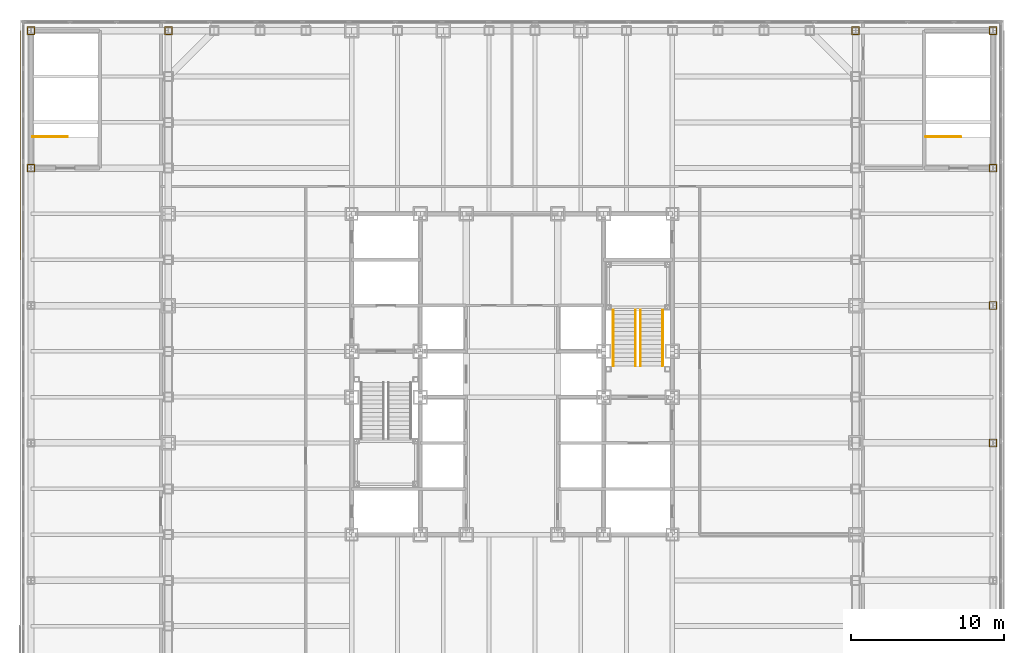
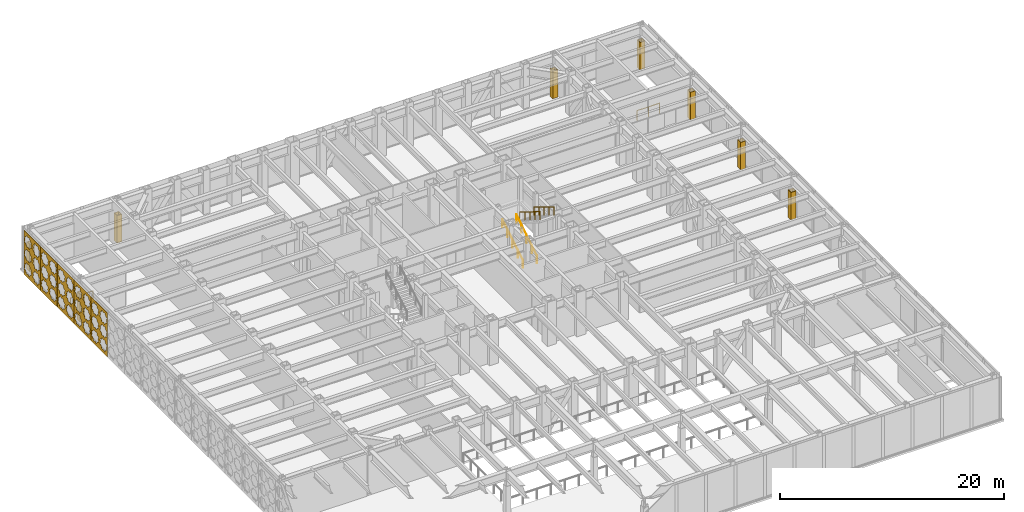
# One storey, part 21 of 24: 8 coverings, 6 railings, 5 shading devices.
"""IFC4 building model written with IfcOpenShell, lengths in metres."""

from ifc_helpers import new_model, si_unit, direction, frame, origin, origin_2d, place, context, subcontext, project, spatial, polyline, circle, outline, extrude, material, layer, layer_set, type_object, element, save


model = new_model("IFC4")

# Units and contexts
model_context = context("Model", 3, precision=1e-05, world=origin(), true_north=direction((0.0, 1.0)))
body_context = subcontext(model_context, "Body", "Model", "MODEL_VIEW")
ifc_project = project(units=[si_unit("LENGTHUNIT", "METRE"), si_unit("AREAUNIT", "SQUARE_METRE"), si_unit("VOLUMEUNIT", "CUBIC_METRE"), si_unit("PLANEANGLEUNIT", "RADIAN"), si_unit("MASSUNIT", "GRAM", prefix="KILO")], contexts=[model_context])

# Site, building, storey
site_placement = place(None, origin())
site = spatial("IfcSite", under=ifc_project, at=site_placement, CompositionType="ELEMENT")
building_placement = place(site_placement, origin())
building = spatial("IfcBuilding", under=site, at=building_placement, Name="Chuquiago Exchange Tower", CompositionType="ELEMENT")
storey_placement = place(building_placement, frame((0.0, 0.0, 19.5)))
storey = spatial("IfcBuildingStorey", under=building, at=storey_placement, Name="L03", CompositionType="ELEMENT", Elevation=19.5)

# Coverings
ifc_material_1 = material(Name="Pale metal sheet casing on rails", Category="aluminium")
ifc_layer_1 = layer(ifc_material_1, 0.050048828125)
ifc_layer_set_1 = layer_set([ifc_layer_1], Name="CS1 column casing 50")
covering_type = type_object("IfcCoveringType", Name="CS1 column casing 50", PredefinedType="CLADDING", material=ifc_layer_set_1)
covering_1_placement = place(storey_placement, origin())
element("IfcCovering", 1, at=covering_1_placement, inside=storey, type_object=covering_type, Name="Column casing L03", PredefinedType="CLADDING", context=body_context, shape_type="SweptSolid", body=[
    extrude(outline(polyline([(-9.255615234375, 35.73291015625), (-8.744384765625, 35.73291015625), (-8.744384765625, 36.26708984375), (-9.255615234375, 36.26708984375), (-9.255615234375, 35.73291015625)]), holes=[polyline([(-9.205810546875, 35.78271484375), (-9.205810546875, 36.21728515625), (-8.794189453125, 36.21728515625), (-8.794189453125, 35.78271484375), (-9.205810546875, 35.78271484375)])]), origin(), (0.0, 0.0, 1.0), 3.0),
])
covering_2_placement = place(storey_placement, origin())
element("IfcCovering", 2, at=covering_2_placement, inside=storey, type_object=covering_type, Name="Column casing L03", PredefinedType="CLADDING", context=body_context, shape_type="SweptSolid", body=[
    extrude(outline(polyline([(-9.255615234375, 44.73291015625), (-8.744384765625, 44.73291015625), (-8.744384765625, 45.26708984375), (-9.255615234375, 45.26708984375), (-9.255615234375, 44.73291015625)]), holes=[polyline([(-9.205810546875, 44.78271484375), (-9.205810546875, 45.21728515625), (-8.794189453125, 45.21728515625), (-8.794189453125, 44.78271484375), (-9.205810546875, 44.78271484375)])]), origin(), (0.0, 0.0, 1.0), 3.0),
])
covering_3_placement = place(storey_placement, origin())
element("IfcCovering", 3, at=covering_3_placement, inside=storey, type_object=covering_type, Name="Column casing L03", PredefinedType="CLADDING", context=body_context, shape_type="SweptSolid", body=[
    extrude(outline(polyline([(-0.255615234375, 44.73291015625), (0.255615234375, 44.73291015625), (0.255615234375, 45.26708984375), (-0.255615234375, 45.26708984375), (-0.255615234375, 44.73291015625)]), holes=[polyline([(-0.205810546875, 44.78271484375), (-0.205810546875, 45.21728515625), (0.205810546875, 45.21728515625), (0.205810546875, 44.78271484375), (-0.205810546875, 44.78271484375)])]), origin(), (0.0, 0.0, 1.0), 3.0),
])
covering_4_placement = place(storey_placement, origin())
element("IfcCovering", 4, at=covering_4_placement, inside=storey, type_object=covering_type, Name="Column casing L03", PredefinedType="CLADDING", context=body_context, shape_type="SweptSolid", body=[
    extrude(outline(polyline([(44.744384765625, 44.73291015625), (45.255615234375, 44.73291015625), (45.255615234375, 45.26708984375), (44.744384765625, 45.26708984375), (44.744384765625, 44.73291015625)]), holes=[polyline([(44.794189453125, 44.78271484375), (44.794189453125, 45.21728515625), (45.205810546875, 45.21728515625), (45.205810546875, 44.78271484375), (44.794189453125, 44.78271484375)])]), origin(), (0.0, 0.0, 1.0), 3.0),
])
covering_5_placement = place(storey_placement, origin())
element("IfcCovering", 5, at=covering_5_placement, inside=storey, type_object=covering_type, Name="Column casing L03", PredefinedType="CLADDING", context=body_context, shape_type="SweptSolid", body=[
    extrude(outline(polyline([(53.744384765625, 17.73291015625), (54.255615234375, 17.73291015625), (54.255615234375, 18.26708984375), (53.744384765625, 18.26708984375), (53.744384765625, 17.73291015625)]), holes=[polyline([(53.794189453125, 17.78271484375), (53.794189453125, 18.21728515625), (54.205810546875, 18.21728515625), (54.205810546875, 17.78271484375), (53.794189453125, 17.78271484375)])]), origin(), (0.0, 0.0, 1.0), 3.0),
])
covering_6_placement = place(storey_placement, origin())
element("IfcCovering", 6, at=covering_6_placement, inside=storey, type_object=covering_type, Name="Column casing L03", PredefinedType="CLADDING", context=body_context, shape_type="SweptSolid", body=[
    extrude(outline(polyline([(53.744384765625, 26.73291015625), (54.255615234375, 26.73291015625), (54.255615234375, 27.26708984375), (53.744384765625, 27.26708984375), (53.744384765625, 26.73291015625)]), holes=[polyline([(53.794189453125, 26.78271484375), (53.794189453125, 27.21728515625), (54.205810546875, 27.21728515625), (54.205810546875, 26.78271484375), (53.794189453125, 26.78271484375)])]), origin(), (0.0, 0.0, 1.0), 3.0),
])
covering_7_placement = place(storey_placement, origin())
element("IfcCovering", 7, at=covering_7_placement, inside=storey, type_object=covering_type, Name="Column casing L03", PredefinedType="CLADDING", context=body_context, shape_type="SweptSolid", body=[
    extrude(outline(polyline([(53.744384765625, 35.73291015625), (54.255615234375, 35.73291015625), (54.255615234375, 36.26708984375), (53.744384765625, 36.26708984375), (53.744384765625, 35.73291015625)]), holes=[polyline([(53.794189453125, 35.78271484375), (53.794189453125, 36.21728515625), (54.205810546875, 36.21728515625), (54.205810546875, 35.78271484375), (53.794189453125, 35.78271484375)])]), origin(), (0.0, 0.0, 1.0), 3.0),
])
covering_8_placement = place(storey_placement, origin())
element("IfcCovering", 8, at=covering_8_placement, inside=storey, type_object=covering_type, Name="Column casing L03", PredefinedType="CLADDING", context=body_context, shape_type="SweptSolid", body=[
    extrude(outline(polyline([(53.744384765625, 44.73291015625), (54.255615234375, 44.73291015625), (54.255615234375, 45.26708984375), (53.744384765625, 45.26708984375), (53.744384765625, 44.73291015625)]), holes=[polyline([(53.794189453125, 44.78271484375), (53.794189453125, 45.21728515625), (54.205810546875, 45.21728515625), (54.205810546875, 44.78271484375), (53.794189453125, 44.78271484375)])]), origin(), (0.0, 0.0, 1.0), 3.0),
])

# Railings
ifc_material_2 = material(Name="Pale metal guard with safety glass infill", Category="glass")
railing_type_1 = type_object("IfcRailingType", Name="GR1 guard 1100", PredefinedType="GUARDRAIL", material=ifc_material_2)
for number, where, name in (
    (9, (-8.89990234375, 38.050048828125, 0.0), "Guard PS3 top landing L03"),
    (10, (49.60009765625, 38.050048828125, 0.0), "Guard PS4 top landing L03"),
):
    element("IfcRailing", number, at=place(storey_placement, frame(where)), inside=storey, type_object=railing_type_1, Name=name, PredefinedType="GUARDRAIL", context=body_context, shape_type="SweptSolid", body=[
        extrude(circle(Radius=0.02392578125, at=origin_2d()), frame((0.0, 0.0, 1.076171875), z_axis=(1.0, 0.0, 0.0), x_axis=(0.0, 1.0, 0.0)), (0.0, 0.0, 1.0), 2.2998046875),
        extrude(circle(Radius=0.02099609375, at=origin_2d()), origin(), (0.0, 0.0, 1.0), 1.052001953125),
        extrude(circle(Radius=0.02099609375, at=origin_2d()), frame((1.14990234375, 0.0, 0.0)), (0.0, 0.0, 1.0), 1.052001953125),
        extrude(circle(Radius=0.02099609375, at=origin_2d()), frame((2.2998046875, 0.0, 0.0)), (0.0, 0.0, 1.0), 1.052001953125),
    ])
ifc_material_3 = material(Name="Pale metal handrail", Category="steel")
railing_type_2 = type_object("IfcRailingType", Name="HR1 handrail 900", PredefinedType="HANDRAIL", material=ifc_material_3)
for number, where, name in (
    (11, (30.5849609375, 23.050048828125, 0.17138671875), "Handrail ST2 L03 flight 1"),
    (12, (29.135009765625, 23.050048828125, 0.17138671875), "Handrail ST2 L03 flight 1"),
):
    element("IfcRailing", number, at=place(storey_placement, frame(where)), inside=storey, type_object=railing_type_2, Name=name, PredefinedType="HANDRAIL", context=body_context, shape_type="SweptSolid", body=[
        extrude(circle(Radius=0.02392578125, at=origin_2d()), frame((0.0, 0.0, 0.8759765625), z_axis=(0.0, 0.852850264322, 0.5221555579), x_axis=(-1.0, 0.0, 0.0)), (0.0, 0.0, 1.0), 4.267822265625),
        extrude(circle(Radius=0.02099609375, at=origin_2d()), origin(), (0.0, 0.0, 1.0), 0.851806640625),
        extrude(circle(Radius=0.02099609375, at=origin_2d()), frame((0.0, 0.909912109375, 0.55712890625)), (0.0, 0.0, 1.0), 0.851806640625),
        extrude(circle(Radius=0.02099609375, at=origin_2d()), frame((0.0, 1.81982421875, 1.1142578125)), (0.0, 0.0, 1.0), 0.851806640625),
        extrude(circle(Radius=0.02099609375, at=origin_2d()), frame((0.0, 2.72998046875, 1.67138671875)), (0.0, 0.0, 1.0), 0.851806640625),
        extrude(circle(Radius=0.02099609375, at=origin_2d()), frame((0.0, 3.639892578125, 2.228515625)), (0.0, 0.0, 1.0), 0.851806640625),
    ])
for number, where, name in (
    (13, (30.9150390625, 26.68994140625, 2.5712890625), "Handrail ST2 L03 flight 2"),
    (14, (32.364990234375, 26.68994140625, 2.5712890625), "Handrail ST2 L03 flight 2"),
):
    element("IfcRailing", number, at=place(storey_placement, frame(where)), inside=storey, type_object=railing_type_2, Name=name, PredefinedType="HANDRAIL", context=body_context, shape_type="SweptSolid", body=[
        extrude(circle(Radius=0.02392578125, at=origin_2d()), frame((0.0, 0.0, 0.8759765625), z_axis=(0.0, -0.852824790078, 0.522197163366), x_axis=(1.0, 0.0, 0.0)), (0.0, 0.0, 1.0), 4.26806640625),
        extrude(circle(Radius=0.02099609375, at=origin_2d()), origin(), (0.0, 0.0, 1.0), 0.851806640625),
        extrude(circle(Radius=0.02099609375, at=origin_2d()), frame((0.0, -0.909912109375, 0.55712890625)), (0.0, 0.0, 1.0), 0.851806640625),
        extrude(circle(Radius=0.02099609375, at=origin_2d()), frame((0.0, -1.81982421875, 1.1142578125)), (0.0, 0.0, 1.0), 0.851806640625),
        extrude(circle(Radius=0.02099609375, at=origin_2d()), frame((0.0, -2.72998046875, 1.671630859375)), (0.0, 0.0, 1.0), 0.851806640625),
        extrude(circle(Radius=0.02099609375, at=origin_2d()), frame((0.0, -3.639892578125, 2.228759765625)), (0.0, 0.0, 1.0), 0.851806640625),
    ])

# Shading devices
ifc_material_4 = material(Name="Pale metal, perforated in an eight-point star pattern", Category="aluminium")
ifc_layer_2 = layer(ifc_material_4, 0.02001953125)
ifc_layer_set_2 = layer_set([ifc_layer_2], Name="SC1 mashrabiya screen 20")
shading_device_type = type_object("IfcShadingDeviceType", Name="SC1 mashrabiya screen 20", PredefinedType="SHUTTER", material=ifc_layer_set_2)
shading_device_1_placement = place(storey_placement, frame((-9.699951171875, 32.989990234375, -0.199951171875), z_axis=(0.0, 0.0, 1.0), x_axis=(0.0, -1.0, 0.0)))
element("IfcShadingDevice", 15, at=shading_device_1_placement, inside=storey, type_object=shading_device_type, Name="Mashrabiya screen L03 W 17", PredefinedType="SHUTTER", context=body_context, shape_type="SweptSolid", body=[
    extrude(outline(polyline([(0.0, 0.0), (2.97998046875, 0.0), (2.97998046875, 4.800048828125), (0.0, 4.800048828125), (0.0, 0.0)]), holes=[polyline([(1.26953125, 0.909912109375), (1.378173828125, 1.17236328125), (1.115966796875, 1.281005859375), (1.00732421875, 1.543212890625), (0.7451171875, 1.4345703125), (0.482666015625, 1.543212890625), (0.3740234375, 1.281005859375), (0.11181640625, 1.17236328125), (0.220458984375, 0.909912109375), (0.11181640625, 0.647705078125), (0.3740234375, 0.5390625), (0.482666015625, 0.27685546875), (0.7451171875, 0.38525390625), (1.00732421875, 0.27685546875), (1.115966796875, 0.5390625), (1.378173828125, 0.647705078125), (1.26953125, 0.909912109375)]), polyline([(2.759521484375, 0.909912109375), (2.8681640625, 1.17236328125), (2.60595703125, 1.281005859375), (2.497314453125, 1.543212890625), (2.235107421875, 1.4345703125), (1.97265625, 1.543212890625), (1.864013671875, 1.281005859375), (1.601806640625, 1.17236328125), (1.71044921875, 0.909912109375), (1.601806640625, 0.647705078125), (1.864013671875, 0.5390625), (1.97265625, 0.27685546875), (2.235107421875, 0.38525390625), (2.497314453125, 0.27685546875), (2.60595703125, 0.5390625), (2.8681640625, 0.647705078125), (2.759521484375, 0.909912109375)]), polyline([(1.26953125, 2.39990234375), (1.378173828125, 2.662353515625), (1.115966796875, 2.77099609375), (1.00732421875, 3.033203125), (0.7451171875, 2.924560546875), (0.482666015625, 3.033203125), (0.3740234375, 2.77099609375), (0.11181640625, 2.662353515625), (0.220458984375, 2.39990234375), (0.11181640625, 2.1376953125), (0.3740234375, 2.029052734375), (0.482666015625, 1.766845703125), (0.7451171875, 1.875244140625), (1.00732421875, 1.766845703125), (1.115966796875, 2.029052734375), (1.378173828125, 2.1376953125), (1.26953125, 2.39990234375)]), polyline([(2.759521484375, 2.39990234375), (2.8681640625, 2.662353515625), (2.60595703125, 2.77099609375), (2.497314453125, 3.033203125), (2.235107421875, 2.924560546875), (1.97265625, 3.033203125), (1.864013671875, 2.77099609375), (1.601806640625, 2.662353515625), (1.71044921875, 2.39990234375), (1.601806640625, 2.1376953125), (1.864013671875, 2.029052734375), (1.97265625, 1.766845703125), (2.235107421875, 1.875244140625), (2.497314453125, 1.766845703125), (2.60595703125, 2.029052734375), (2.8681640625, 2.1376953125), (2.759521484375, 2.39990234375)]), polyline([(1.26953125, 3.889892578125), (1.378173828125, 4.15234375), (1.115966796875, 4.260986328125), (1.00732421875, 4.523193359375), (0.7451171875, 4.41455078125), (0.482666015625, 4.523193359375), (0.3740234375, 4.260986328125), (0.11181640625, 4.15234375), (0.220458984375, 3.889892578125), (0.11181640625, 3.627685546875), (0.3740234375, 3.51904296875), (0.482666015625, 3.2568359375), (0.7451171875, 3.365234375), (1.00732421875, 3.2568359375), (1.115966796875, 3.51904296875), (1.378173828125, 3.627685546875), (1.26953125, 3.889892578125)]), polyline([(2.759521484375, 3.889892578125), (2.8681640625, 4.15234375), (2.60595703125, 4.260986328125), (2.497314453125, 4.523193359375), (2.235107421875, 4.41455078125), (1.97265625, 4.523193359375), (1.864013671875, 4.260986328125), (1.601806640625, 4.15234375), (1.71044921875, 3.889892578125), (1.601806640625, 3.627685546875), (1.864013671875, 3.51904296875), (1.97265625, 3.2568359375), (2.235107421875, 3.365234375), (2.497314453125, 3.2568359375), (2.60595703125, 3.51904296875), (2.8681640625, 3.627685546875), (2.759521484375, 3.889892578125)])]), frame((0.0, 0.0, 0.0), z_axis=(0.0, -1.0, 0.0), x_axis=(1.0, 0.0, 0.0)), (0.0, 0.0, 1.0), 0.02001953125),
])
shading_device_2_placement = place(storey_placement, frame((-9.699951171875, 35.989990234375, -0.199951171875), z_axis=(0.0, 0.0, 1.0), x_axis=(0.0, -1.0, 0.0)))
element("IfcShadingDevice", 16, at=shading_device_2_placement, inside=storey, type_object=shading_device_type, Name="Mashrabiya screen L03 W 18", PredefinedType="SHUTTER", context=body_context, shape_type="SweptSolid", body=[
    extrude(outline(polyline([(0.0, 0.0), (2.97998046875, 0.0), (2.97998046875, 4.800048828125), (0.0, 4.800048828125), (0.0, 0.0)]), holes=[polyline([(1.26953125, 0.909912109375), (1.378173828125, 1.17236328125), (1.115966796875, 1.281005859375), (1.00732421875, 1.543212890625), (0.7451171875, 1.4345703125), (0.482666015625, 1.543212890625), (0.3740234375, 1.281005859375), (0.11181640625, 1.17236328125), (0.220458984375, 0.909912109375), (0.11181640625, 0.647705078125), (0.3740234375, 0.5390625), (0.482666015625, 0.27685546875), (0.7451171875, 0.38525390625), (1.00732421875, 0.27685546875), (1.115966796875, 0.5390625), (1.378173828125, 0.647705078125), (1.26953125, 0.909912109375)]), polyline([(2.759521484375, 0.909912109375), (2.8681640625, 1.17236328125), (2.60595703125, 1.281005859375), (2.497314453125, 1.543212890625), (2.235107421875, 1.4345703125), (1.97265625, 1.543212890625), (1.864013671875, 1.281005859375), (1.601806640625, 1.17236328125), (1.71044921875, 0.909912109375), (1.601806640625, 0.647705078125), (1.864013671875, 0.5390625), (1.97265625, 0.27685546875), (2.235107421875, 0.38525390625), (2.497314453125, 0.27685546875), (2.60595703125, 0.5390625), (2.8681640625, 0.647705078125), (2.759521484375, 0.909912109375)]), polyline([(1.26953125, 2.39990234375), (1.378173828125, 2.662353515625), (1.115966796875, 2.77099609375), (1.00732421875, 3.033203125), (0.7451171875, 2.924560546875), (0.482666015625, 3.033203125), (0.3740234375, 2.77099609375), (0.11181640625, 2.662353515625), (0.220458984375, 2.39990234375), (0.11181640625, 2.1376953125), (0.3740234375, 2.029052734375), (0.482666015625, 1.766845703125), (0.7451171875, 1.875244140625), (1.00732421875, 1.766845703125), (1.115966796875, 2.029052734375), (1.378173828125, 2.1376953125), (1.26953125, 2.39990234375)]), polyline([(2.759521484375, 2.39990234375), (2.8681640625, 2.662353515625), (2.60595703125, 2.77099609375), (2.497314453125, 3.033203125), (2.235107421875, 2.924560546875), (1.97265625, 3.033203125), (1.864013671875, 2.77099609375), (1.601806640625, 2.662353515625), (1.71044921875, 2.39990234375), (1.601806640625, 2.1376953125), (1.864013671875, 2.029052734375), (1.97265625, 1.766845703125), (2.235107421875, 1.875244140625), (2.497314453125, 1.766845703125), (2.60595703125, 2.029052734375), (2.8681640625, 2.1376953125), (2.759521484375, 2.39990234375)]), polyline([(1.26953125, 3.889892578125), (1.378173828125, 4.15234375), (1.115966796875, 4.260986328125), (1.00732421875, 4.523193359375), (0.7451171875, 4.41455078125), (0.482666015625, 4.523193359375), (0.3740234375, 4.260986328125), (0.11181640625, 4.15234375), (0.220458984375, 3.889892578125), (0.11181640625, 3.627685546875), (0.3740234375, 3.51904296875), (0.482666015625, 3.2568359375), (0.7451171875, 3.365234375), (1.00732421875, 3.2568359375), (1.115966796875, 3.51904296875), (1.378173828125, 3.627685546875), (1.26953125, 3.889892578125)]), polyline([(2.759521484375, 3.889892578125), (2.8681640625, 4.15234375), (2.60595703125, 4.260986328125), (2.497314453125, 4.523193359375), (2.235107421875, 4.41455078125), (1.97265625, 4.523193359375), (1.864013671875, 4.260986328125), (1.601806640625, 4.15234375), (1.71044921875, 3.889892578125), (1.601806640625, 3.627685546875), (1.864013671875, 3.51904296875), (1.97265625, 3.2568359375), (2.235107421875, 3.365234375), (2.497314453125, 3.2568359375), (2.60595703125, 3.51904296875), (2.8681640625, 3.627685546875), (2.759521484375, 3.889892578125)])]), frame((0.0, 0.0, 0.0), z_axis=(0.0, -1.0, 0.0), x_axis=(1.0, 0.0, 0.0)), (0.0, 0.0, 1.0), 0.02001953125),
])
shading_device_3_placement = place(storey_placement, frame((-9.699951171875, 38.989990234375, -0.199951171875), z_axis=(0.0, 0.0, 1.0), x_axis=(0.0, -1.0, 0.0)))
element("IfcShadingDevice", 17, at=shading_device_3_placement, inside=storey, type_object=shading_device_type, Name="Mashrabiya screen L03 W 19", PredefinedType="SHUTTER", context=body_context, shape_type="SweptSolid", body=[
    extrude(outline(polyline([(0.0, 0.0), (2.97998046875, 0.0), (2.97998046875, 4.800048828125), (0.0, 4.800048828125), (0.0, 0.0)]), holes=[polyline([(1.26953125, 0.909912109375), (1.378173828125, 1.17236328125), (1.115966796875, 1.281005859375), (1.00732421875, 1.543212890625), (0.7451171875, 1.4345703125), (0.482666015625, 1.543212890625), (0.3740234375, 1.281005859375), (0.11181640625, 1.17236328125), (0.220458984375, 0.909912109375), (0.11181640625, 0.647705078125), (0.3740234375, 0.5390625), (0.482666015625, 0.27685546875), (0.7451171875, 0.38525390625), (1.00732421875, 0.27685546875), (1.115966796875, 0.5390625), (1.378173828125, 0.647705078125), (1.26953125, 0.909912109375)]), polyline([(2.759521484375, 0.909912109375), (2.8681640625, 1.17236328125), (2.60595703125, 1.281005859375), (2.497314453125, 1.543212890625), (2.235107421875, 1.4345703125), (1.97265625, 1.543212890625), (1.864013671875, 1.281005859375), (1.601806640625, 1.17236328125), (1.71044921875, 0.909912109375), (1.601806640625, 0.647705078125), (1.864013671875, 0.5390625), (1.97265625, 0.27685546875), (2.235107421875, 0.38525390625), (2.497314453125, 0.27685546875), (2.60595703125, 0.5390625), (2.8681640625, 0.647705078125), (2.759521484375, 0.909912109375)]), polyline([(1.26953125, 2.39990234375), (1.378173828125, 2.662353515625), (1.115966796875, 2.77099609375), (1.00732421875, 3.033203125), (0.7451171875, 2.924560546875), (0.482666015625, 3.033203125), (0.3740234375, 2.77099609375), (0.11181640625, 2.662353515625), (0.220458984375, 2.39990234375), (0.11181640625, 2.1376953125), (0.3740234375, 2.029052734375), (0.482666015625, 1.766845703125), (0.7451171875, 1.875244140625), (1.00732421875, 1.766845703125), (1.115966796875, 2.029052734375), (1.378173828125, 2.1376953125), (1.26953125, 2.39990234375)]), polyline([(2.759521484375, 2.39990234375), (2.8681640625, 2.662353515625), (2.60595703125, 2.77099609375), (2.497314453125, 3.033203125), (2.235107421875, 2.924560546875), (1.97265625, 3.033203125), (1.864013671875, 2.77099609375), (1.601806640625, 2.662353515625), (1.71044921875, 2.39990234375), (1.601806640625, 2.1376953125), (1.864013671875, 2.029052734375), (1.97265625, 1.766845703125), (2.235107421875, 1.875244140625), (2.497314453125, 1.766845703125), (2.60595703125, 2.029052734375), (2.8681640625, 2.1376953125), (2.759521484375, 2.39990234375)]), polyline([(1.26953125, 3.889892578125), (1.378173828125, 4.15234375), (1.115966796875, 4.260986328125), (1.00732421875, 4.523193359375), (0.7451171875, 4.41455078125), (0.482666015625, 4.523193359375), (0.3740234375, 4.260986328125), (0.11181640625, 4.15234375), (0.220458984375, 3.889892578125), (0.11181640625, 3.627685546875), (0.3740234375, 3.51904296875), (0.482666015625, 3.2568359375), (0.7451171875, 3.365234375), (1.00732421875, 3.2568359375), (1.115966796875, 3.51904296875), (1.378173828125, 3.627685546875), (1.26953125, 3.889892578125)]), polyline([(2.759521484375, 3.889892578125), (2.8681640625, 4.15234375), (2.60595703125, 4.260986328125), (2.497314453125, 4.523193359375), (2.235107421875, 4.41455078125), (1.97265625, 4.523193359375), (1.864013671875, 4.260986328125), (1.601806640625, 4.15234375), (1.71044921875, 3.889892578125), (1.601806640625, 3.627685546875), (1.864013671875, 3.51904296875), (1.97265625, 3.2568359375), (2.235107421875, 3.365234375), (2.497314453125, 3.2568359375), (2.60595703125, 3.51904296875), (2.8681640625, 3.627685546875), (2.759521484375, 3.889892578125)])]), frame((0.0, 0.0, 0.0), z_axis=(0.0, -1.0, 0.0), x_axis=(1.0, 0.0, 0.0)), (0.0, 0.0, 1.0), 0.02001953125),
])
shading_device_4_placement = place(storey_placement, frame((-9.699951171875, 41.989990234375, -0.199951171875), z_axis=(0.0, 0.0, 1.0), x_axis=(0.0, -1.0, 0.0)))
element("IfcShadingDevice", 18, at=shading_device_4_placement, inside=storey, type_object=shading_device_type, Name="Mashrabiya screen L03 W 20", PredefinedType="SHUTTER", context=body_context, shape_type="SweptSolid", body=[
    extrude(outline(polyline([(0.0, 0.0), (2.97998046875, 0.0), (2.97998046875, 4.800048828125), (0.0, 4.800048828125), (0.0, 0.0)]), holes=[polyline([(1.26953125, 0.909912109375), (1.378173828125, 1.17236328125), (1.115966796875, 1.281005859375), (1.00732421875, 1.543212890625), (0.7451171875, 1.4345703125), (0.482666015625, 1.543212890625), (0.3740234375, 1.281005859375), (0.11181640625, 1.17236328125), (0.220458984375, 0.909912109375), (0.11181640625, 0.647705078125), (0.3740234375, 0.5390625), (0.482666015625, 0.27685546875), (0.7451171875, 0.38525390625), (1.00732421875, 0.27685546875), (1.115966796875, 0.5390625), (1.378173828125, 0.647705078125), (1.26953125, 0.909912109375)]), polyline([(2.759521484375, 0.909912109375), (2.8681640625, 1.17236328125), (2.60595703125, 1.281005859375), (2.497314453125, 1.543212890625), (2.235107421875, 1.4345703125), (1.97265625, 1.543212890625), (1.864013671875, 1.281005859375), (1.601806640625, 1.17236328125), (1.71044921875, 0.909912109375), (1.601806640625, 0.647705078125), (1.864013671875, 0.5390625), (1.97265625, 0.27685546875), (2.235107421875, 0.38525390625), (2.497314453125, 0.27685546875), (2.60595703125, 0.5390625), (2.8681640625, 0.647705078125), (2.759521484375, 0.909912109375)]), polyline([(1.26953125, 2.39990234375), (1.378173828125, 2.662353515625), (1.115966796875, 2.77099609375), (1.00732421875, 3.033203125), (0.7451171875, 2.924560546875), (0.482666015625, 3.033203125), (0.3740234375, 2.77099609375), (0.11181640625, 2.662353515625), (0.220458984375, 2.39990234375), (0.11181640625, 2.1376953125), (0.3740234375, 2.029052734375), (0.482666015625, 1.766845703125), (0.7451171875, 1.875244140625), (1.00732421875, 1.766845703125), (1.115966796875, 2.029052734375), (1.378173828125, 2.1376953125), (1.26953125, 2.39990234375)]), polyline([(2.759521484375, 2.39990234375), (2.8681640625, 2.662353515625), (2.60595703125, 2.77099609375), (2.497314453125, 3.033203125), (2.235107421875, 2.924560546875), (1.97265625, 3.033203125), (1.864013671875, 2.77099609375), (1.601806640625, 2.662353515625), (1.71044921875, 2.39990234375), (1.601806640625, 2.1376953125), (1.864013671875, 2.029052734375), (1.97265625, 1.766845703125), (2.235107421875, 1.875244140625), (2.497314453125, 1.766845703125), (2.60595703125, 2.029052734375), (2.8681640625, 2.1376953125), (2.759521484375, 2.39990234375)]), polyline([(1.26953125, 3.889892578125), (1.378173828125, 4.15234375), (1.115966796875, 4.260986328125), (1.00732421875, 4.523193359375), (0.7451171875, 4.41455078125), (0.482666015625, 4.523193359375), (0.3740234375, 4.260986328125), (0.11181640625, 4.15234375), (0.220458984375, 3.889892578125), (0.11181640625, 3.627685546875), (0.3740234375, 3.51904296875), (0.482666015625, 3.2568359375), (0.7451171875, 3.365234375), (1.00732421875, 3.2568359375), (1.115966796875, 3.51904296875), (1.378173828125, 3.627685546875), (1.26953125, 3.889892578125)]), polyline([(2.759521484375, 3.889892578125), (2.8681640625, 4.15234375), (2.60595703125, 4.260986328125), (2.497314453125, 4.523193359375), (2.235107421875, 4.41455078125), (1.97265625, 4.523193359375), (1.864013671875, 4.260986328125), (1.601806640625, 4.15234375), (1.71044921875, 3.889892578125), (1.601806640625, 3.627685546875), (1.864013671875, 3.51904296875), (1.97265625, 3.2568359375), (2.235107421875, 3.365234375), (2.497314453125, 3.2568359375), (2.60595703125, 3.51904296875), (2.8681640625, 3.627685546875), (2.759521484375, 3.889892578125)])]), frame((0.0, 0.0, 0.0), z_axis=(0.0, -1.0, 0.0), x_axis=(1.0, 0.0, 0.0)), (0.0, 0.0, 1.0), 0.02001953125),
])
shading_device_5_placement = place(storey_placement, frame((-9.699951171875, 44.989990234375, -0.199951171875), z_axis=(0.0, 0.0, 1.0), x_axis=(0.0, -1.0, 0.0)))
element("IfcShadingDevice", 19, at=shading_device_5_placement, inside=storey, type_object=shading_device_type, Name="Mashrabiya screen L03 W 21", PredefinedType="SHUTTER", context=body_context, shape_type="SweptSolid", body=[
    extrude(outline(polyline([(0.0, 0.0), (2.97998046875, 0.0), (2.97998046875, 4.800048828125), (0.0, 4.800048828125), (0.0, 0.0)]), holes=[polyline([(1.26953125, 0.909912109375), (1.378173828125, 1.17236328125), (1.115966796875, 1.281005859375), (1.00732421875, 1.543212890625), (0.7451171875, 1.4345703125), (0.482666015625, 1.543212890625), (0.3740234375, 1.281005859375), (0.11181640625, 1.17236328125), (0.220458984375, 0.909912109375), (0.11181640625, 0.647705078125), (0.3740234375, 0.5390625), (0.482666015625, 0.27685546875), (0.7451171875, 0.38525390625), (1.00732421875, 0.27685546875), (1.115966796875, 0.5390625), (1.378173828125, 0.647705078125), (1.26953125, 0.909912109375)]), polyline([(2.759521484375, 0.909912109375), (2.8681640625, 1.17236328125), (2.60595703125, 1.281005859375), (2.497314453125, 1.543212890625), (2.235107421875, 1.4345703125), (1.97265625, 1.543212890625), (1.864013671875, 1.281005859375), (1.601806640625, 1.17236328125), (1.71044921875, 0.909912109375), (1.601806640625, 0.647705078125), (1.864013671875, 0.5390625), (1.97265625, 0.27685546875), (2.235107421875, 0.38525390625), (2.497314453125, 0.27685546875), (2.60595703125, 0.5390625), (2.8681640625, 0.647705078125), (2.759521484375, 0.909912109375)]), polyline([(1.26953125, 2.39990234375), (1.378173828125, 2.662353515625), (1.115966796875, 2.77099609375), (1.00732421875, 3.033203125), (0.7451171875, 2.924560546875), (0.482666015625, 3.033203125), (0.3740234375, 2.77099609375), (0.11181640625, 2.662353515625), (0.220458984375, 2.39990234375), (0.11181640625, 2.1376953125), (0.3740234375, 2.029052734375), (0.482666015625, 1.766845703125), (0.7451171875, 1.875244140625), (1.00732421875, 1.766845703125), (1.115966796875, 2.029052734375), (1.378173828125, 2.1376953125), (1.26953125, 2.39990234375)]), polyline([(2.759521484375, 2.39990234375), (2.8681640625, 2.662353515625), (2.60595703125, 2.77099609375), (2.497314453125, 3.033203125), (2.235107421875, 2.924560546875), (1.97265625, 3.033203125), (1.864013671875, 2.77099609375), (1.601806640625, 2.662353515625), (1.71044921875, 2.39990234375), (1.601806640625, 2.1376953125), (1.864013671875, 2.029052734375), (1.97265625, 1.766845703125), (2.235107421875, 1.875244140625), (2.497314453125, 1.766845703125), (2.60595703125, 2.029052734375), (2.8681640625, 2.1376953125), (2.759521484375, 2.39990234375)]), polyline([(1.26953125, 3.889892578125), (1.378173828125, 4.15234375), (1.115966796875, 4.260986328125), (1.00732421875, 4.523193359375), (0.7451171875, 4.41455078125), (0.482666015625, 4.523193359375), (0.3740234375, 4.260986328125), (0.11181640625, 4.15234375), (0.220458984375, 3.889892578125), (0.11181640625, 3.627685546875), (0.3740234375, 3.51904296875), (0.482666015625, 3.2568359375), (0.7451171875, 3.365234375), (1.00732421875, 3.2568359375), (1.115966796875, 3.51904296875), (1.378173828125, 3.627685546875), (1.26953125, 3.889892578125)]), polyline([(2.759521484375, 3.889892578125), (2.8681640625, 4.15234375), (2.60595703125, 4.260986328125), (2.497314453125, 4.523193359375), (2.235107421875, 4.41455078125), (1.97265625, 4.523193359375), (1.864013671875, 4.260986328125), (1.601806640625, 4.15234375), (1.71044921875, 3.889892578125), (1.601806640625, 3.627685546875), (1.864013671875, 3.51904296875), (1.97265625, 3.2568359375), (2.235107421875, 3.365234375), (2.497314453125, 3.2568359375), (2.60595703125, 3.51904296875), (2.8681640625, 3.627685546875), (2.759521484375, 3.889892578125)])]), frame((0.0, 0.0, 0.0), z_axis=(0.0, -1.0, 0.0), x_axis=(1.0, 0.0, 0.0)), (0.0, 0.0, 1.0), 0.02001953125),
])

save(model, "model.ifc")
